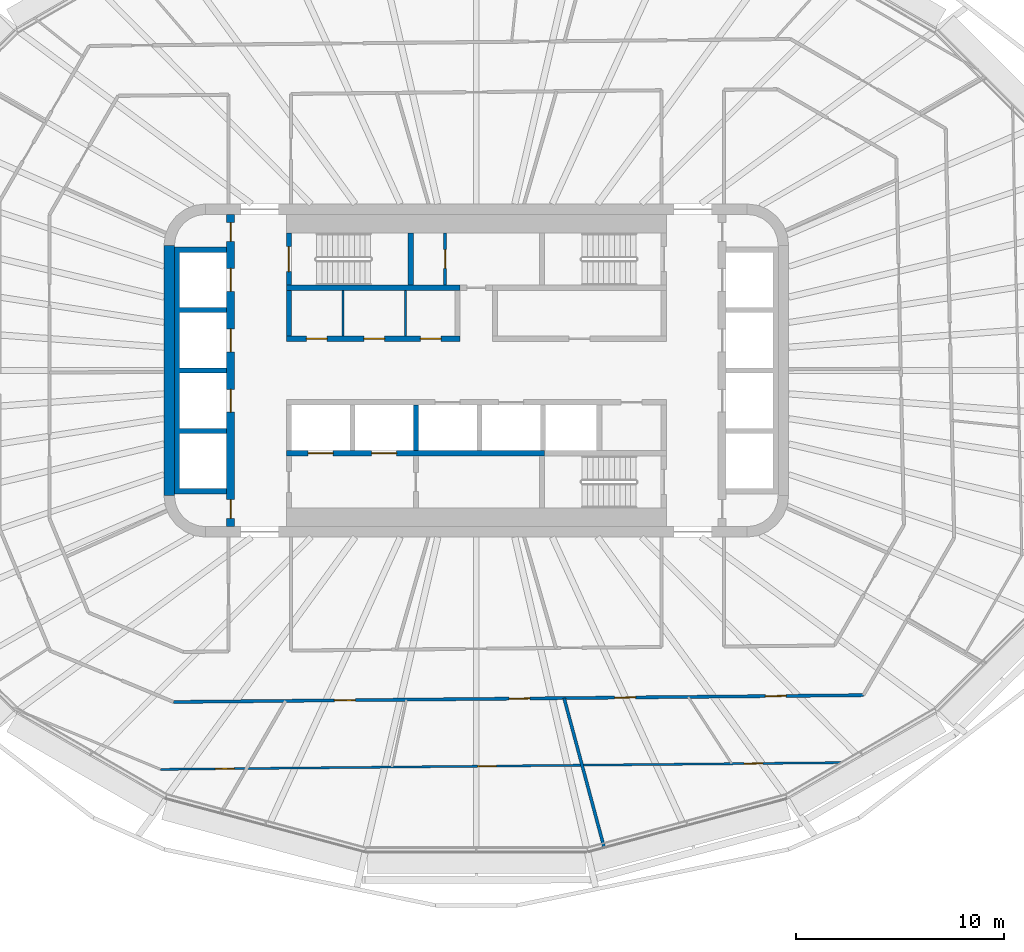
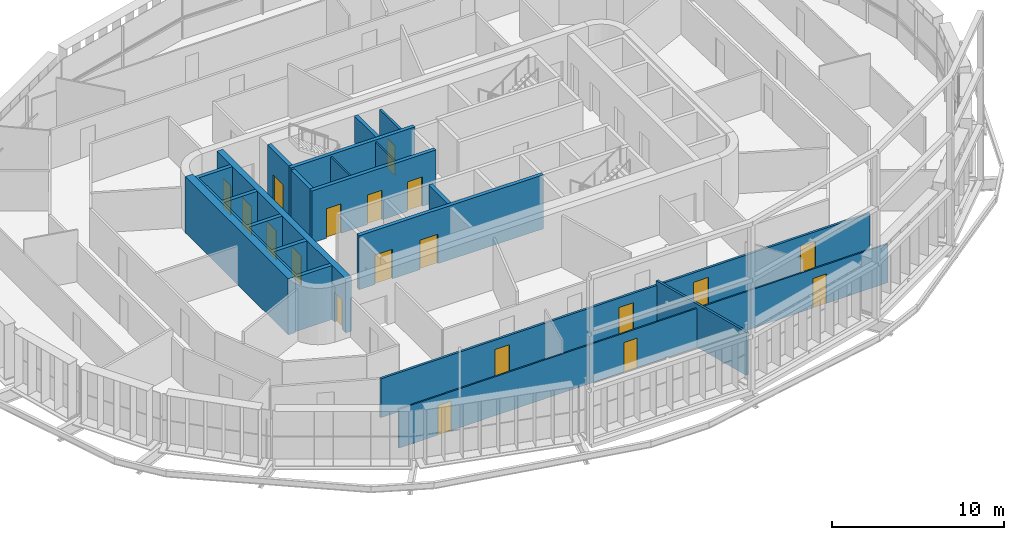
# One storey, part 12 of 23: 19 doors, 16 walls, 19 openings.
"""IFC4 building model written with IfcOpenShell, lengths in metres."""

import ifcopenshell
import ifcopenshell.guid

model = None  # the IFC model being written
_history = None  # IfcOwnerHistory: only IFC2X3 demands one
_inside = {}  # id of a spatial element -> (the spatial element, [elements in it])
_under = {}  # id of a project, library or spatial element -> (it, [spatial elements below it])
_declared = {}  # id of a project -> (the project, [libraries it declares])
_typed = {}  # id of a type object -> (the type object, [elements of that type])
_made_of = {}  # id of a material, layer set ... -> (it, [elements and type objects made of it])


def new_model(schema):
    """Start an empty IFC model of exactly this schema.

    Asked for "IFC4X3", IfcOpenShell would pick the latest addendum, in which some entities
    have other attributes; the version numbers below select the first issue.
    IFC2X3 requires an IfcOwnerHistory on every rooted entity: one is made here for all.
    """
    global model, _history
    if schema == "IFC4X3":
        model = ifcopenshell.file(schema_version=(4, 3, 0, 0))
    else:
        model = ifcopenshell.file(schema=schema)
    _inside.clear()
    _under.clear()
    _declared.clear()
    _typed.clear()
    _made_of.clear()
    _history = None
    if model.schema == "IFC2X3":
        org = make("IfcOrganization", Name="unknown")
        user = make(
            "IfcPersonAndOrganization",
            ThePerson=make("IfcPerson", FamilyName="unknown"),
            TheOrganization=org,
        )
        app = make(
            "IfcApplication",
            ApplicationDeveloper=org,
            Version="unknown",
            ApplicationFullName="unknown",
            ApplicationIdentifier="unknown",
        )
        _history = make(
            "IfcOwnerHistory",
            OwningUser=user,
            OwningApplication=app,
            ChangeAction="ADDED",
            CreationDate=0,
        )
    return model


def make(cls, **values):
    """One entity of the class cls with the attributes given. An attribute that is None is left unset."""
    return model.create_entity(
        cls, **{name: value for name, value in values.items() if value is not None}
    )


def rooted(cls, **values):
    """An entity with a GlobalId (a new one), such as an element, a storey or a relation."""
    return make(cls, GlobalId=ifcopenshell.guid.new(), OwnerHistory=_history, **values)


def si_unit(unit_type, name, prefix=None):
    """IfcSIUnit, for example si_unit("LENGTHUNIT", "METRE", prefix="MILLI")."""
    return make("IfcSIUnit", UnitType=unit_type, Prefix=prefix, Name=name)


def assignment(units):
    """IfcUnitAssignment: the units of a project."""
    return None if units is None else make("IfcUnitAssignment", Units=units)


def point(xyz):
    """IfcCartesianPoint."""
    return None if xyz is None else make("IfcCartesianPoint", Coordinates=xyz)


def direction(xyz):
    """IfcDirection."""
    return None if xyz is None else make("IfcDirection", DirectionRatios=xyz)


def frame(location, z_axis=None, x_axis=None):
    """IfcAxis2Placement3D, a coordinate frame: its origin and axes. An axis left out is left unset."""
    return make(
        "IfcAxis2Placement3D",
        Location=point(location),
        Axis=direction(z_axis),
        RefDirection=direction(x_axis),
    )


def frame_2d(location, x_axis=None):
    """IfcAxis2Placement2D, a coordinate frame in the plane: its origin and x axis."""
    return make(
        "IfcAxis2Placement2D", Location=point(location), RefDirection=direction(x_axis)
    )


def origin():
    """The frame at (0, 0, 0) with its axes left unset."""
    return frame((0.0, 0.0, 0.0))


def place(relative_to, where):
    """IfcLocalPlacement: puts the frame where relative to a parent placement (None: the world)."""
    return make(
        "IfcLocalPlacement", PlacementRelTo=relative_to, RelativePlacement=where
    )


def context(
    kind, dimensions, precision=None, world=None, true_north=None, identifier=None
):
    """IfcGeometricRepresentationContext, for example the 3D "Model" context."""
    return make(
        "IfcGeometricRepresentationContext",
        ContextIdentifier=identifier,
        ContextType=kind,
        CoordinateSpaceDimension=dimensions,
        Precision=precision,
        WorldCoordinateSystem=world,
        TrueNorth=true_north,
    )


def subcontext(parent, identifier, kind, view, scale=None):
    """IfcGeometricRepresentationSubContext, for example "Body" below "Model"."""
    return make(
        "IfcGeometricRepresentationSubContext",
        ContextIdentifier=identifier,
        ContextType=kind,
        ParentContext=parent,
        TargetScale=scale,
        TargetView=view,
    )


def project(units=None, contexts=None):
    """IfcProject with its units and contexts."""
    return rooted(
        "IfcProject",
        Name="project",
        RepresentationContexts=contexts,
        UnitsInContext=assignment(units),
    )


def spatial(cls, under=None, at=None, **own):
    """A site, building, storey or space (cls), placed at a placement, below another one or the project."""
    s = rooted(cls, ObjectPlacement=at, **own)
    if under is not None:
        _under.setdefault(under.id(), (under, []))[1].append(s)
    return s


def polyline(points):
    """IfcPolyline through the points."""
    return make("IfcPolyline", Points=[point(p) for p in points])


def profile(cls, at=None, kind="AREA", **sizes):
    """A parametric profile (cls). Its sizes go by their IFC names, for example OverallWidth=200.0."""
    return make(cls, ProfileType=kind, Position=at, **sizes)


def rectangle(**sizes):
    """IfcRectangleProfileDef."""
    return profile("IfcRectangleProfileDef", **sizes)


def outline(outer, holes=None, kind="AREA"):
    """IfcArbitraryClosedProfileDef: a profile drawn as a closed curve; with holes, ...WithVoids."""
    if holes is None:
        return make("IfcArbitraryClosedProfileDef", ProfileType=kind, OuterCurve=outer)
    return make(
        "IfcArbitraryProfileDefWithVoids",
        ProfileType=kind,
        OuterCurve=outer,
        InnerCurves=holes,
    )


def extrude(swept, where, along, depth):
    """IfcExtrudedAreaSolid: the profile swept, set in the frame where, extruded along a direction by depth."""
    return make(
        "IfcExtrudedAreaSolid",
        SweptArea=swept,
        Position=where,
        ExtrudedDirection=direction(along),
        Depth=depth,
    )


def shape(context_of_items, identifier, shape_type, items):
    """IfcShapeRepresentation: the items that make up one representation, for example the "Body"."""
    return make(
        "IfcShapeRepresentation",
        ContextOfItems=context_of_items,
        RepresentationIdentifier=identifier,
        RepresentationType=shape_type,
        Items=items,
    )


def material(Name=None, Category=None):
    """IfcMaterial."""
    return make("IfcMaterial", Name=Name, Category=Category)


def layer(
    of_material, thickness, ventilated=None, Name=None, Category=None, Priority=None
):
    """IfcMaterialLayer: one layer of a wall or slab, of a material (None: an air gap)."""
    return make(
        "IfcMaterialLayer",
        Material=of_material,
        LayerThickness=thickness,
        IsVentilated=ventilated,
        Name=Name,
        Category=Category,
        Priority=Priority,
    )


def layer_set(layers, Name=None):
    """IfcMaterialLayerSet."""
    return make("IfcMaterialLayerSet", MaterialLayers=layers, LayerSetName=Name)


def made_of(thing, what):
    """Note that an element or type object is made of a material, layer set ...; save() writes the relation."""
    if what is not None:
        _made_of.setdefault(what.id(), (what, []))[1].append(thing)
    return thing


def type_object(cls, material=None, **own):
    """A type object (cls), such as IfcWallType, which elements share."""
    return made_of(rooted(cls, **own), material)


def element(
    cls,
    number,
    at=None,
    inside=None,
    cuts=None,
    type_object=None,
    material=None,
    context=None,
    identifier="Body",
    shape_type=None,
    held_by="IfcProductDefinitionShape",
    body=None,
    shapes=None,
    **own,
):
    """One element of the class cls, such as IfcWall. Its Tag is "e" and its number.

    at: its placement. inside: the storey or other place that contains it. cuts: it is an
    opening in that element (IfcRelVoidsElement). A single representation is given by context,
    identifier, shape_type and body (its items); several are given by shapes. held_by: the class
    of the entity that holds the representations. save() writes the other relations.
    """
    e = rooted(cls, Tag="e%d" % number, ObjectPlacement=at, **own)
    if body is not None:
        shapes = [shape(context, identifier, shape_type, body)]
    if shapes is not None:
        e.Representation = make(held_by, Representations=shapes)
    if inside is not None:
        _inside.setdefault(inside.id(), (inside, []))[1].append(e)
    if cuts is not None:
        rooted(
            "IfcRelVoidsElement", RelatingBuildingElement=cuts, RelatedOpeningElement=e
        )
    if type_object is not None:
        _typed.setdefault(type_object.id(), (type_object, []))[1].append(e)
    return made_of(e, material)


def fill(opening, filler):
    """IfcRelFillsElement: the door or window that sits in an opening."""
    return rooted(
        "IfcRelFillsElement",
        RelatingOpeningElement=opening,
        RelatedBuildingElement=filler,
    )


def aggregate(whole, parts):
    """IfcRelAggregates: a whole, such as a stair, and the parts it consists of."""
    return rooted("IfcRelAggregates", RelatingObject=whole, RelatedObjects=parts)


def save(model, path):
    """Write the relations noted so far, then the file.

    IfcRelAggregates (storeys below a building ...), IfcRelContainedInSpatialStructure (elements
    in a storey), IfcRelDefinesByType, IfcRelAssociatesMaterial and IfcRelDeclares: one each for
    every whole, place, type object, material and project.
    """
    for whole, parts in _under.values():
        aggregate(whole, parts)
    for where, things in _inside.values():
        rooted(
            "IfcRelContainedInSpatialStructure",
            RelatedElements=things,
            RelatingStructure=where,
        )
    for kind, things in _typed.values():
        rooted("IfcRelDefinesByType", RelatedObjects=things, RelatingType=kind)
    for what, things in _made_of.values():
        rooted("IfcRelAssociatesMaterial", RelatedObjects=things, RelatingMaterial=what)
    for by, libraries in _declared.values():
        rooted("IfcRelDeclares", RelatingContext=by, RelatedDefinitions=libraries)
    model.write(path)


model = new_model("IFC4")

# Units and contexts
model_context = context("Model", 3, precision=1e-05, world=origin(), true_north=direction((0.0, 1.0)))
body_context = subcontext(model_context, "Body", "Model", "MODEL_VIEW")
ifc_project = project(units=[si_unit("LENGTHUNIT", "METRE"), si_unit("AREAUNIT", "SQUARE_METRE"), si_unit("VOLUMEUNIT", "CUBIC_METRE"), si_unit("PLANEANGLEUNIT", "RADIAN"), si_unit("MASSUNIT", "GRAM", prefix="KILO")], contexts=[model_context])

# Site, building, storey
site_placement = place(None, origin())
site = spatial("IfcSite", under=ifc_project, at=site_placement, CompositionType="ELEMENT")
building_placement = place(site_placement, origin())
building = spatial("IfcBuilding", under=site, at=building_placement, Name="Sahrelin Media Tower", CompositionType="ELEMENT")
storey_placement = place(building_placement, frame((0.0, 0.0, 185.60009765625)))
storey = spatial("IfcBuildingStorey", under=building, at=storey_placement, Name="L39", CompositionType="ELEMENT", Elevation=185.60009765625)

# Wall
ifc_material_1 = material(Name="Concrete C60/75", Category="concrete")
ifc_layer_1 = layer(ifc_material_1, 0.5)
ifc_layer_set_1 = layer_set([ifc_layer_1], Name="Core wall 500")
wall_type_1 = type_object("IfcWallType", Name="Core wall 500", PredefinedType="SHEAR", material=ifc_layer_set_1)
wall_1_placement = place(storey_placement, frame((-14.75, -6.0, 0.0), z_axis=(0.0, 0.0, 1.0), x_axis=(0.0, 1.0, 0.0)))
element("IfcWall", 1, at=wall_1_placement, inside=storey, type_object=wall_type_1, Name="Core wall W L39", PredefinedType="SHEAR", context=body_context, shape_type="SweptSolid", body=[
    extrude(rectangle(XDim=12.0, YDim=0.5, at=frame_2d((6.0, 0.0))), origin(), (0.0, 0.0, 1.0), 4.0),
])

# Wall, openings, doors
ifc_material_2 = material(Name="Fire-rated gypsum board partition")
ifc_layer_2 = layer(ifc_material_2, 0.25)
ifc_layer_set_2 = layer_set([ifc_layer_2], Name="Fire-rated lobby wall 250")
wall_type_2 = type_object("IfcWallType", Name="Fire-rated lobby wall 250", PredefinedType="PARTITIONING", material=ifc_layer_set_2)
wall_2_placement = place(storey_placement, frame((-9.125, 1.52490234375, 0.0), z_axis=(0.0, 0.0, 1.0), x_axis=(1.0, 0.0, 0.0)))
wall_2 = element("IfcWall", 2, at=wall_2_placement, inside=storey, type_object=wall_type_2, Name="Core lobby wall", PredefinedType="PARTITIONING", context=body_context, shape_type="SweptSolid", body=[
    extrude(rectangle(XDim=8.35009765625, YDim=0.25, at=frame_2d((4.175048828125, 0.0))), origin(), (0.0, 0.0, 1.0), 3.699951171875),
])
opening_1_placement = place(wall_2_placement, frame((0.96240234375, 0.0, 0.0)))
opening_1 = element("IfcOpeningElement", 3, at=opening_1_placement, cuts=wall_2, Name="Opening L39-D08", PredefinedType="OPENING", context=body_context, shape_type="SweptSolid", body=[
    extrude(rectangle(XDim=1.0, YDim=2.10009765625, at=frame_2d((0.5, 1.050048828125))), frame((0.0, 0.125, 0.0), z_axis=(0.0, -1.0, 0.0), x_axis=(1.0, 0.0, 0.0)), (0.0, 0.0, 1.0), 0.25),
])
opening_2_placement = place(wall_2_placement, frame((3.72509765625, 0.0, 0.0)))
opening_2 = element("IfcOpeningElement", 4, at=opening_2_placement, cuts=wall_2, Name="Opening L39-D09", PredefinedType="OPENING", context=body_context, shape_type="SweptSolid", body=[
    extrude(rectangle(XDim=1.0, YDim=2.10009765625, at=frame_2d((0.5, 1.050048828125))), frame((0.0, 0.125, 0.0), z_axis=(0.0, -1.0, 0.0), x_axis=(1.0, 0.0, 0.0)), (0.0, 0.0, 1.0), 0.25),
])
opening_3_placement = place(wall_2_placement, frame((6.4375, 0.0, 0.0)))
opening_3 = element("IfcOpeningElement", 5, at=opening_3_placement, cuts=wall_2, Name="Opening L39-D10", PredefinedType="OPENING", context=body_context, shape_type="SweptSolid", body=[
    extrude(rectangle(XDim=1.0, YDim=2.10009765625, at=frame_2d((0.5, 1.050048828125))), frame((0.0, 0.125, 0.0), z_axis=(0.0, -1.0, 0.0), x_axis=(1.0, 0.0, 0.0)), (0.0, 0.0, 1.0), 0.25),
])
ifc_material_3 = material(Name="Steel fire door leaf", Category="steel")
door_type_1 = type_object("IfcDoorType", Name="Fire door 1000 x 2100 EI 60", OperationType="NOTDEFINED", PredefinedType="DOOR", material=ifc_material_3)
door_1_placement = place(opening_1_placement, origin())
door_1 = element("IfcDoor", 6, at=door_1_placement, inside=storey, type_object=door_type_1, Name="Core room door", OperationType="SINGLE_SWING_LEFT", OverallHeight=2.10009765625, OverallWidth=1.0, PredefinedType="DOOR", context=body_context, shape_type="SweptSolid", body=[
    extrude(rectangle(XDim=1.0, YDim=2.10009765625, at=frame_2d((0.5, 1.050048828125))), frame((0.0, 0.02490234375, 0.0), z_axis=(0.0, -1.0, 0.0), x_axis=(1.0, 0.0, 0.0)), (0.0, 0.0, 1.0), 0.050048828125),
])
fill(opening_1, door_1)
door_2_placement = place(opening_2_placement, origin())
door_2 = element("IfcDoor", 7, at=door_2_placement, inside=storey, type_object=door_type_1, Name="Core room door", OperationType="SINGLE_SWING_LEFT", OverallHeight=2.10009765625, OverallWidth=1.0, PredefinedType="DOOR", context=body_context, shape_type="SweptSolid", body=[
    extrude(rectangle(XDim=1.0, YDim=2.10009765625, at=frame_2d((0.5, 1.050048828125))), frame((0.0, 0.02490234375, 0.0), z_axis=(0.0, -1.0, 0.0), x_axis=(1.0, 0.0, 0.0)), (0.0, 0.0, 1.0), 0.050048828125),
])
fill(opening_2, door_2)
door_3_placement = place(opening_3_placement, origin())
door_3 = element("IfcDoor", 8, at=door_3_placement, inside=storey, type_object=door_type_1, Name="Core room door", OperationType="SINGLE_SWING_LEFT", OverallHeight=2.10009765625, OverallWidth=1.0, PredefinedType="DOOR", context=body_context, shape_type="SweptSolid", body=[
    extrude(rectangle(XDim=1.0, YDim=2.10009765625, at=frame_2d((0.5, 1.050048828125))), frame((0.0, 0.02490234375, 0.0), z_axis=(0.0, -1.0, 0.0), x_axis=(1.0, 0.0, 0.0)), (0.0, 0.0, 1.0), 0.050048828125),
])
fill(opening_3, door_3)

# Walls
wall_3_placement = place(storey_placement, frame((-9.0, 1.64990234375, 0.0), z_axis=(0.0, 0.0, 1.0), x_axis=(0.0, 1.0, 0.0)))
element("IfcWall", 9, at=wall_3_placement, inside=storey, type_object=wall_type_2, Name="Core lobby wall", PredefinedType="PARTITIONING", context=body_context, shape_type="SweptSolid", body=[
    extrude(rectangle(XDim=2.2001953125, YDim=0.25, at=frame_2d((1.10009765625, 0.0))), origin(), (0.0, 0.0, 1.0), 3.699951171875),
])
ifc_layer_3 = layer(ifc_material_2, 0.10009765625)
ifc_layer_set_3 = layer_set([ifc_layer_3], Name="Fire-rated partition 100")
wall_type_3 = type_object("IfcWallType", Name="Fire-rated partition 100", PredefinedType="PARTITIONING", material=ifc_layer_set_3)
for number, where, z_axis, x_axis, name in (
    (10, (-6.39990234375, 1.64990234375, 0.0), (0.0, 0.0, 1.0), (0.0, 1.0, 0.0), "Core room partition"),
    (11, (-3.39990234375, 1.64990234375, 0.0), (0.0, 0.0, 1.0), (0.0, 1.0, 0.0), "Core room partition"),
):
    element("IfcWall", number, at=place(storey_placement, frame(where, z_axis=z_axis, x_axis=x_axis)), inside=storey, type_object=wall_type_3, Name=name, PredefinedType="PARTITIONING", context=body_context, shape_type="SweptSolid", body=[
        extrude(rectangle(XDim=2.2001953125, YDim=0.10009765625, at=frame_2d((1.10009765625, 0.0))), origin(), (0.0, 0.0, 1.0), 3.699951171875),
    ])

# Wall, opening, door
ifc_layer_4 = layer(ifc_material_2, 0.14990234375)
ifc_layer_set_4 = layer_set([ifc_layer_4], Name="Fire-rated partition 150")
wall_type_4 = type_object("IfcWallType", Name="Fire-rated partition 150", PredefinedType="PARTITIONING", material=ifc_layer_set_4)
wall_4_placement = place(storey_placement, frame((-1.5, 4.10009765625, 0.0), z_axis=(0.0, 0.0, 1.0), x_axis=(0.0, 1.0, 0.0)))
wall_4 = element("IfcWall", 12, at=wall_4_placement, inside=storey, type_object=wall_type_4, Name="Core room fire partition", PredefinedType="PARTITIONING", context=body_context, shape_type="SweptSolid", body=[
    extrude(rectangle(XDim=2.5, YDim=0.14990234375, at=frame_2d((1.25, 0.0))), origin(), (0.0, 0.0, 1.0), 3.699951171875),
])
opening_4_placement = place(wall_4_placement, frame((0.800048828125, 0.0, 0.0)))
opening_4 = element("IfcOpeningElement", 13, at=opening_4_placement, cuts=wall_4, Name="Opening L39-D07", PredefinedType="OPENING", context=body_context, shape_type="SweptSolid", body=[
    extrude(rectangle(XDim=0.89990234375, YDim=2.10009765625, at=frame_2d((0.449951171875, 1.050048828125))), frame((0.0, 0.074951171875, 0.0), z_axis=(0.0, -1.0, 0.0), x_axis=(1.0, 0.0, 0.0)), (0.0, 0.0, 1.0), 0.14990234375),
])
door_type_2 = type_object("IfcDoorType", Name="Fire door 900 x 2100 EI 60", OperationType="NOTDEFINED", PredefinedType="DOOR", material=ifc_material_3)
door_4_placement = place(opening_4_placement, origin())
door_4 = element("IfcDoor", 14, at=door_4_placement, inside=storey, type_object=door_type_2, Name="Core room door", OperationType="SINGLE_SWING_LEFT", OverallHeight=2.10009765625, OverallWidth=0.89990234375, PredefinedType="DOOR", context=body_context, shape_type="SweptSolid", body=[
    extrude(rectangle(XDim=0.89990234375, YDim=2.10009765625, at=frame_2d((0.449951171875, 1.050048828125))), frame((0.0, 0.02490234375, 0.0), z_axis=(0.0, -1.0, 0.0), x_axis=(1.0, 0.0, 0.0)), (0.0, 0.0, 1.0), 0.050048828125),
])
fill(opening_4, door_4)

# Wall
wall_5_placement = place(storey_placement, frame((4.215087890625, -15.72998046875, 0.0), z_axis=(0.0, 0.0, 1.0), x_axis=(0.258765615768, -0.965940141052, 0.0)))
element("IfcWall", 15, at=wall_5_placement, inside=storey, type_object=wall_type_4, Name="Wall", PredefinedType="PARTITIONING", context=body_context, shape_type="SweptSolid", body=[
    extrude(rectangle(XDim=7.4384765625, YDim=0.14990234375, at=frame_2d((3.71923828125, 0.0))), origin(), (0.0, 0.0, 1.0), 3.077392578125),
])

# Wall, openings, doors
wall_6_placement = place(storey_placement, frame((-14.533935546875, -15.91552734375, 0.0), z_axis=(0.0, 0.0, 1.0), x_axis=(0.999951221888, 0.009876935033, 0.0)))
wall_6 = element("IfcWall", 16, at=wall_6_placement, inside=storey, type_object=wall_type_4, Name="Wall", PredefinedType="PARTITIONING", context=body_context, shape_type="SweptSolid", body=[
    extrude(rectangle(XDim=33.12255859375, YDim=0.14990234375, at=frame_2d((16.561279296875, 0.0))), origin(), (0.0, 0.0, 1.0), 2.76806640625),
])
opening_5_placement = place(wall_6_placement, frame((7.722412109375, 0.0, 0.0)))
opening_5 = element("IfcOpeningElement", 17, at=opening_5_placement, cuts=wall_6, Name="Opening L39-D52", PredefinedType="OPENING", context=body_context, shape_type="SweptSolid", body=[
    extrude(rectangle(XDim=1.0, YDim=2.10009765625, at=frame_2d((0.5, 1.050048828125))), frame((0.0, 0.074951171875, 0.0), z_axis=(0.0, -1.0, 0.0), x_axis=(1.0, 0.0, 0.0)), (0.0, 0.0, 1.0), 0.14990234375),
])
opening_6_placement = place(wall_6_placement, frame((16.110595703125, 0.0, 0.0)))
opening_6 = element("IfcOpeningElement", 18, at=opening_6_placement, cuts=wall_6, Name="Opening L39-D53", PredefinedType="OPENING", context=body_context, shape_type="SweptSolid", body=[
    extrude(rectangle(XDim=1.0, YDim=2.10009765625, at=frame_2d((0.5, 1.050048828125))), frame((0.0, 0.074951171875, 0.0), z_axis=(0.0, -1.0, 0.0), x_axis=(1.0, 0.0, 0.0)), (0.0, 0.0, 1.0), 0.14990234375),
])
opening_7_placement = place(wall_6_placement, frame((21.1796875, 0.0, 0.0)))
opening_7 = element("IfcOpeningElement", 19, at=opening_7_placement, cuts=wall_6, Name="Opening L39-D55", PredefinedType="OPENING", context=body_context, shape_type="SweptSolid", body=[
    extrude(rectangle(XDim=1.0, YDim=2.10009765625, at=frame_2d((0.5, 1.050048828125))), frame((0.0, 0.074951171875, 0.0), z_axis=(0.0, -1.0, 0.0), x_axis=(1.0, 0.0, 0.0)), (0.0, 0.0, 1.0), 0.14990234375),
])
opening_8_placement = place(wall_6_placement, frame((28.41552734375, 0.0, 0.0)))
opening_8 = element("IfcOpeningElement", 20, at=opening_8_placement, cuts=wall_6, Name="Opening L39-D56", PredefinedType="OPENING", context=body_context, shape_type="SweptSolid", body=[
    extrude(rectangle(XDim=1.0, YDim=2.10009765625, at=frame_2d((0.5, 1.050048828125))), frame((0.0, 0.074951171875, 0.0), z_axis=(0.0, -1.0, 0.0), x_axis=(1.0, 0.0, 0.0)), (0.0, 0.0, 1.0), 0.14990234375),
])
door_5_placement = place(opening_5_placement, origin())
door_5 = element("IfcDoor", 21, at=door_5_placement, inside=storey, type_object=door_type_1, Name="Fire door", OperationType="SINGLE_SWING_LEFT", OverallHeight=2.10009765625, OverallWidth=1.0, PredefinedType="DOOR", context=body_context, shape_type="SweptSolid", body=[
    extrude(rectangle(XDim=1.0, YDim=2.10009765625, at=frame_2d((0.5, 1.050048828125))), frame((0.0, 0.02490234375, 0.0), z_axis=(0.0, -1.0, 0.0), x_axis=(1.0, 0.0, 0.0)), (0.0, 0.0, 1.0), 0.050048828125),
])
fill(opening_5, door_5)
door_6_placement = place(opening_6_placement, origin())
door_6 = element("IfcDoor", 22, at=door_6_placement, inside=storey, type_object=door_type_1, Name="Fire door", OperationType="SINGLE_SWING_RIGHT", OverallHeight=2.10009765625, OverallWidth=1.0, PredefinedType="DOOR", context=body_context, shape_type="SweptSolid", body=[
    extrude(rectangle(XDim=1.0, YDim=2.10009765625, at=frame_2d((0.5, 1.050048828125))), frame((0.0, 0.02490234375, 0.0), z_axis=(0.0, -1.0, 0.0), x_axis=(1.0, 0.0, 0.0)), (0.0, 0.0, 1.0), 0.050048828125),
])
fill(opening_6, door_6)
door_7_placement = place(opening_7_placement, origin())
door_7 = element("IfcDoor", 23, at=door_7_placement, inside=storey, type_object=door_type_1, Name="Fire door", OperationType="SINGLE_SWING_LEFT", OverallHeight=2.10009765625, OverallWidth=1.0, PredefinedType="DOOR", context=body_context, shape_type="SweptSolid", body=[
    extrude(rectangle(XDim=1.0, YDim=2.10009765625, at=frame_2d((0.5, 1.050048828125))), frame((0.0, 0.02490234375, 0.0), z_axis=(0.0, -1.0, 0.0), x_axis=(1.0, 0.0, 0.0)), (0.0, 0.0, 1.0), 0.050048828125),
])
fill(opening_7, door_7)
door_8_placement = place(opening_8_placement, origin())
door_8 = element("IfcDoor", 24, at=door_8_placement, inside=storey, type_object=door_type_1, Name="Fire door", OperationType="SINGLE_SWING_LEFT", OverallHeight=2.10009765625, OverallWidth=1.0, PredefinedType="DOOR", context=body_context, shape_type="SweptSolid", body=[
    extrude(rectangle(XDim=1.0, YDim=2.10009765625, at=frame_2d((0.5, 1.050048828125))), frame((0.0, 0.02490234375, 0.0), z_axis=(0.0, -1.0, 0.0), x_axis=(1.0, 0.0, 0.0)), (0.0, 0.0, 1.0), 0.050048828125),
])
fill(opening_8, door_8)

ifc_layer_5 = layer(ifc_material_1, 0.25)
ifc_layer_set_5 = layer_set([ifc_layer_5], Name="Lift shaft wall 250")
wall_type_5 = type_object("IfcWallType", Name="Lift shaft wall 250", PredefinedType="SOLIDWALL", material=ifc_layer_set_5)
wall_7_placement = place(storey_placement, frame((-9.125, -3.97509765625, 0.0), z_axis=(0.0, 0.0, 1.0), x_axis=(1.0, 0.0, 0.0)))
wall_7 = element("IfcWall", 25, at=wall_7_placement, inside=storey, type_object=wall_type_5, Name="Lift shaft wall", PredefinedType="SOLIDWALL", context=body_context, shape_type="SweptSolid", body=[
    extrude(rectangle(XDim=12.39990234375, YDim=0.25, at=frame_2d((6.199951171875, 0.0))), origin(), (0.0, 0.0, 1.0), 3.849853515625),
])
opening_9_placement = place(wall_7_placement, frame((1.050048828125, 0.0, 0.0)))
opening_9 = element("IfcOpeningElement", 26, at=opening_9_placement, cuts=wall_7, Name="Opening L39-LD-FF1", PredefinedType="OPENING", context=body_context, shape_type="SweptSolid", body=[
    extrude(rectangle(XDim=1.199951171875, YDim=2.10009765625, at=frame_2d((0.60009765625, 1.050048828125))), frame((0.0, 0.125, 0.0), z_axis=(0.0, -1.0, 0.0), x_axis=(1.0, 0.0, 0.0)), (0.0, 0.0, 1.0), 0.25),
])
opening_10_placement = place(wall_7_placement, frame((4.10009765625, 0.0, 0.0)))
opening_10 = element("IfcOpeningElement", 27, at=opening_10_placement, cuts=wall_7, Name="Opening L39-LD-FF2", PredefinedType="OPENING", context=body_context, shape_type="SweptSolid", body=[
    extrude(rectangle(XDim=1.199951171875, YDim=2.10009765625, at=frame_2d((0.60009765625, 1.050048828125))), frame((0.0, 0.125, 0.0), z_axis=(0.0, -1.0, 0.0), x_axis=(1.0, 0.0, 0.0)), (0.0, 0.0, 1.0), 0.25),
])
ifc_material_4 = material(Name="Stainless steel", Category="steel")
door_type_3 = type_object("IfcDoorType", Name="Lift landing door 1200 x 2100 EI 120", OperationType="DOUBLE_DOOR_SLIDING", PredefinedType="DOOR", material=ifc_material_4)
door_9_placement = place(opening_9_placement, origin())
door_9 = element("IfcDoor", 28, at=door_9_placement, inside=storey, type_object=door_type_3, Name="Lift landing door FF1", OperationType="DOUBLE_DOOR_SLIDING", OverallHeight=2.10009765625, OverallWidth=1.199951171875, PredefinedType="DOOR", context=body_context, shape_type="SweptSolid", body=[
    extrude(rectangle(XDim=1.199951171875, YDim=2.10009765625, at=frame_2d((0.60009765625, 1.050048828125))), frame((0.0, 0.02490234375, 0.0), z_axis=(0.0, -1.0, 0.0), x_axis=(1.0, 0.0, 0.0)), (0.0, 0.0, 1.0), 0.050048828125),
])
fill(opening_9, door_9)
door_10_placement = place(opening_10_placement, origin())
door_10 = element("IfcDoor", 29, at=door_10_placement, inside=storey, type_object=door_type_3, Name="Lift landing door FF2", OperationType="DOUBLE_DOOR_SLIDING", OverallHeight=2.10009765625, OverallWidth=1.199951171875, PredefinedType="DOOR", context=body_context, shape_type="SweptSolid", body=[
    extrude(rectangle(XDim=1.199951171875, YDim=2.10009765625, at=frame_2d((0.60009765625, 1.050048828125))), frame((0.0, 0.02490234375, 0.0), z_axis=(0.0, -1.0, 0.0), x_axis=(1.0, 0.0, 0.0)), (0.0, 0.0, 1.0), 0.050048828125),
])
fill(opening_10, door_10)

# Walls
wall_8_placement = place(storey_placement, frame((-2.89990234375, -3.85009765625, 0.0), z_axis=(0.0, 0.0, 1.0), x_axis=(0.0, 1.0, 0.0)))
element("IfcWall", 30, at=wall_8_placement, inside=storey, type_object=wall_type_5, Name="Lift shaft wall", PredefinedType="SOLIDWALL", context=body_context, shape_type="SweptSolid", body=[
    extrude(rectangle(XDim=2.2001953125, YDim=0.25, at=frame_2d((1.10009765625, 0.0))), origin(), (0.0, 0.0, 1.0), 3.849853515625),
])
wall_9_placement = place(storey_placement, origin())
element("IfcWall", 31, at=wall_9_placement, inside=storey, type_object=wall_type_5, Name="Lift shaft wall", PredefinedType="SOLIDWALL", context=body_context, shape_type="SweptSolid", body=[
    extrude(outline(polyline([(-12.0, -5.925048828125), (-12.0, -5.675048828125), (-14.25, -5.675048828125), (-14.25, -3.02490234375), (-12.0, -3.02490234375), (-12.0, -2.77490234375), (-14.25, -2.77490234375), (-14.25, -0.125), (-12.0, -0.125), (-12.0, 0.125), (-14.25, 0.125), (-14.25, 2.77490234375), (-12.0, 2.77490234375), (-12.0, 3.02490234375), (-14.25, 3.02490234375), (-14.25, 5.675048828125), (-12.0, 5.675048828125), (-12.0, 5.925048828125), (-14.25, 5.925048828125), (-14.5, 5.925048828125), (-14.5, 5.675048828125), (-14.5, 3.02490234375), (-14.5, 2.77490234375), (-14.5, 0.125), (-14.5, -0.125), (-14.5, -2.77490234375), (-14.5, -3.02490234375), (-14.5, -5.675048828125), (-14.5, -5.925048828125), (-14.25, -5.925048828125), (-12.0, -5.925048828125)])), origin(), (0.0, 0.0, 1.0), 3.849853515625),
])

# Wall, openings, doors
ifc_layer_6 = layer(ifc_material_1, 0.39990234375)
ifc_layer_set_6 = layer_set([ifc_layer_6], Name="Lift shaft wall 400")
wall_type_6 = type_object("IfcWallType", Name="Lift shaft wall 400", PredefinedType="SOLIDWALL", material=ifc_layer_set_6)
wall_10_placement = place(storey_placement, frame((-11.800048828125, -7.5, 0.0), z_axis=(0.0, 0.0, 1.0), x_axis=(0.0, 1.0, 0.0)))
wall_10 = element("IfcWall", 32, at=wall_10_placement, inside=storey, type_object=wall_type_6, Name="Lift shaft wall", PredefinedType="SOLIDWALL", context=body_context, shape_type="SweptSolid", body=[
    extrude(rectangle(XDim=15.0, YDim=0.39990234375, at=frame_2d((7.5, 0.0))), origin(), (0.0, 0.0, 1.0), 3.849853515625),
])
opening_11_placement = place(wall_10_placement, frame((11.300048828125, 0.0, 0.0)))
opening_11 = element("IfcOpeningElement", 33, at=opening_11_placement, cuts=wall_10, Name="Opening L39-LD-LR1", PredefinedType="OPENING", context=body_context, shape_type="SweptSolid", body=[
    extrude(rectangle(XDim=1.10009765625, YDim=2.10009765625, at=frame_2d((0.550048828125, 1.050048828125))), frame((0.0, 0.199951171875, 0.0), z_axis=(0.0, -1.0, 0.0), x_axis=(1.0, 0.0, 0.0)), (0.0, 0.0, 1.0), 0.39990234375),
])
opening_12_placement = place(wall_10_placement, frame((8.39990234375, 0.0, 0.0)))
opening_12 = element("IfcOpeningElement", 34, at=opening_12_placement, cuts=wall_10, Name="Opening L39-LD-LR2", PredefinedType="OPENING", context=body_context, shape_type="SweptSolid", body=[
    extrude(rectangle(XDim=1.10009765625, YDim=2.10009765625, at=frame_2d((0.550048828125, 1.050048828125))), frame((0.0, 0.199951171875, 0.0), z_axis=(0.0, -1.0, 0.0), x_axis=(1.0, 0.0, 0.0)), (0.0, 0.0, 1.0), 0.39990234375),
])
opening_13_placement = place(wall_10_placement, frame((5.5, 0.0, 0.0)))
opening_13 = element("IfcOpeningElement", 35, at=opening_13_placement, cuts=wall_10, Name="Opening L39-LD-LR3", PredefinedType="OPENING", context=body_context, shape_type="SweptSolid", body=[
    extrude(rectangle(XDim=1.10009765625, YDim=2.10009765625, at=frame_2d((0.550048828125, 1.050048828125))), frame((0.0, 0.199951171875, 0.0), z_axis=(0.0, -1.0, 0.0), x_axis=(1.0, 0.0, 0.0)), (0.0, 0.0, 1.0), 0.39990234375),
])
opening_14_placement = place(wall_10_placement, frame((13.696533203125, 0.0, 0.0)))
opening_14 = element("IfcOpeningElement", 36, at=opening_14_placement, cuts=wall_10, Name="Opening L39-D13", PredefinedType="OPENING", context=body_context, shape_type="SweptSolid", body=[
    extrude(rectangle(XDim=0.89990234375, YDim=2.10009765625, at=frame_2d((0.449951171875, 1.050048828125))), frame((0.0, 0.199951171875, 0.0), z_axis=(0.0, -1.0, 0.0), x_axis=(1.0, 0.0, 0.0)), (0.0, 0.0, 1.0), 0.39990234375),
])
opening_15_placement = place(wall_10_placement, frame((0.4033203125, 0.0, 0.0)))
opening_15 = element("IfcOpeningElement", 37, at=opening_15_placement, cuts=wall_10, Name="Opening L39-D14", PredefinedType="OPENING", context=body_context, shape_type="SweptSolid", body=[
    extrude(rectangle(XDim=0.89990234375, YDim=2.10009765625, at=frame_2d((0.449951171875, 1.050048828125))), frame((0.0, 0.199951171875, 0.0), z_axis=(0.0, -1.0, 0.0), x_axis=(1.0, 0.0, 0.0)), (0.0, 0.0, 1.0), 0.39990234375),
])
door_type_4 = type_object("IfcDoorType", Name="Lift landing door 1100 x 2100 EI 120", OperationType="DOUBLE_DOOR_SLIDING", PredefinedType="DOOR", material=ifc_material_4)
door_11_placement = place(opening_11_placement, origin())
door_11 = element("IfcDoor", 38, at=door_11_placement, inside=storey, type_object=door_type_4, Name="Lift landing door LR1", OperationType="DOUBLE_DOOR_SLIDING", OverallHeight=2.10009765625, OverallWidth=1.10009765625, PredefinedType="DOOR", context=body_context, shape_type="SweptSolid", body=[
    extrude(rectangle(XDim=1.10009765625, YDim=2.10009765625, at=frame_2d((0.550048828125, 1.050048828125))), frame((0.0, 0.02490234375, 0.0), z_axis=(0.0, -1.0, 0.0), x_axis=(1.0, 0.0, 0.0)), (0.0, 0.0, 1.0), 0.050048828125),
])
fill(opening_11, door_11)
door_12_placement = place(opening_12_placement, origin())
door_12 = element("IfcDoor", 39, at=door_12_placement, inside=storey, type_object=door_type_4, Name="Lift landing door LR2", OperationType="DOUBLE_DOOR_SLIDING", OverallHeight=2.10009765625, OverallWidth=1.10009765625, PredefinedType="DOOR", context=body_context, shape_type="SweptSolid", body=[
    extrude(rectangle(XDim=1.10009765625, YDim=2.10009765625, at=frame_2d((0.550048828125, 1.050048828125))), frame((0.0, 0.02490234375, 0.0), z_axis=(0.0, -1.0, 0.0), x_axis=(1.0, 0.0, 0.0)), (0.0, 0.0, 1.0), 0.050048828125),
])
fill(opening_12, door_12)
door_13_placement = place(opening_13_placement, origin())
door_13 = element("IfcDoor", 40, at=door_13_placement, inside=storey, type_object=door_type_4, Name="Lift landing door LR3", OperationType="DOUBLE_DOOR_SLIDING", OverallHeight=2.10009765625, OverallWidth=1.10009765625, PredefinedType="DOOR", context=body_context, shape_type="SweptSolid", body=[
    extrude(rectangle(XDim=1.10009765625, YDim=2.10009765625, at=frame_2d((0.550048828125, 1.050048828125))), frame((0.0, 0.02490234375, 0.0), z_axis=(0.0, -1.0, 0.0), x_axis=(1.0, 0.0, 0.0)), (0.0, 0.0, 1.0), 0.050048828125),
])
fill(opening_13, door_13)
door_type_5 = type_object("IfcDoorType", Name="Riser door 900 x 2100 EI 120", OperationType="NOTDEFINED", PredefinedType="DOOR", material=ifc_material_3)
door_14_placement = place(opening_14_placement, origin())
door_14 = element("IfcDoor", 41, at=door_14_placement, inside=storey, type_object=door_type_5, Name="Riser door", OperationType="SINGLE_SWING_LEFT", OverallHeight=2.10009765625, OverallWidth=0.89990234375, PredefinedType="DOOR", context=body_context, shape_type="SweptSolid", body=[
    extrude(rectangle(XDim=0.89990234375, YDim=2.10009765625, at=frame_2d((0.449951171875, 1.050048828125))), frame((0.0, 0.02490234375, 0.0), z_axis=(0.0, -1.0, 0.0), x_axis=(1.0, 0.0, 0.0)), (0.0, 0.0, 1.0), 0.050048828125),
])
fill(opening_14, door_14)
door_15_placement = place(opening_15_placement, origin())
door_15 = element("IfcDoor", 42, at=door_15_placement, inside=storey, type_object=door_type_5, Name="Riser door", OperationType="SINGLE_SWING_LEFT", OverallHeight=2.10009765625, OverallWidth=0.89990234375, PredefinedType="DOOR", context=body_context, shape_type="SweptSolid", body=[
    extrude(rectangle(XDim=0.89990234375, YDim=2.10009765625, at=frame_2d((0.449951171875, 1.050048828125))), frame((0.0, 0.02490234375, 0.0), z_axis=(0.0, -1.0, 0.0), x_axis=(1.0, 0.0, 0.0)), (0.0, 0.0, 1.0), 0.050048828125),
])
fill(opening_15, door_15)

ifc_material_5 = material(Name="Gypsum board partition")
ifc_layer_7 = layer(ifc_material_5, 0.10009765625)
ifc_layer_set_7 = layer_set([ifc_layer_7], Name="Partition 100")
wall_type_7 = type_object("IfcWallType", Name="Partition 100", PredefinedType="PARTITIONING", material=ifc_layer_set_7)
wall_11_placement = place(storey_placement, frame((-15.160888671875, -19.152099609375, 0.0), z_axis=(0.0, 0.0, 1.0), x_axis=(0.999950812999, 0.009918244889, 0.0)))
wall_11 = element("IfcWall", 43, at=wall_11_placement, inside=storey, type_object=wall_type_7, Name="Wall", PredefinedType="PARTITIONING", context=body_context, shape_type="SweptSolid", body=[
    extrude(rectangle(XDim=33.107666015625, YDim=0.10009765625, at=frame_2d((16.5537109375, 0.0))), origin(), (0.0, 0.0, 1.0), 2.76806640625),
])
opening_16_placement = place(wall_11_placement, frame((2.627685546875, 0.0, 0.0)))
opening_16 = element("IfcOpeningElement", 44, at=opening_16_placement, cuts=wall_11, Name="Opening L39-D51", PredefinedType="OPENING", context=body_context, shape_type="SweptSolid", body=[
    extrude(rectangle(XDim=0.89990234375, YDim=2.10009765625, at=frame_2d((0.449951171875, 1.050048828125))), frame((0.0, 0.050048828125, 0.0), z_axis=(0.0, -1.0, 0.0), x_axis=(1.0, 0.0, 0.0)), (0.0, 0.0, 1.0), 0.10009765625),
])
opening_17_placement = place(wall_11_placement, frame((15.22607421875, 0.0, 0.0)))
opening_17 = element("IfcOpeningElement", 45, at=opening_17_placement, cuts=wall_11, Name="Opening L39-D54", PredefinedType="OPENING", context=body_context, shape_type="SweptSolid", body=[
    extrude(rectangle(XDim=0.89990234375, YDim=2.10009765625, at=frame_2d((0.449951171875, 1.050048828125))), frame((0.0, 0.050048828125, 0.0), z_axis=(0.0, -1.0, 0.0), x_axis=(1.0, 0.0, 0.0)), (0.0, 0.0, 1.0), 0.10009765625),
])
opening_18_placement = place(wall_11_placement, frame((28.0244140625, 0.0, 0.0)))
opening_18 = element("IfcOpeningElement", 46, at=opening_18_placement, cuts=wall_11, Name="Opening L39-D57", PredefinedType="OPENING", context=body_context, shape_type="SweptSolid", body=[
    extrude(rectangle(XDim=0.89990234375, YDim=2.10009765625, at=frame_2d((0.449951171875, 1.050048828125))), frame((0.0, 0.050048828125, 0.0), z_axis=(0.0, -1.0, 0.0), x_axis=(1.0, 0.0, 0.0)), (0.0, 0.0, 1.0), 0.10009765625),
])
ifc_material_6 = material(Name="Timber door leaf", Category="wood")
door_type_6 = type_object("IfcDoorType", Name="Single door 900 x 2100", OperationType="NOTDEFINED", PredefinedType="DOOR", material=ifc_material_6)
door_16_placement = place(opening_16_placement, origin())
door_16 = element("IfcDoor", 47, at=door_16_placement, inside=storey, type_object=door_type_6, Name="Single door", OperationType="SINGLE_SWING_RIGHT", OverallHeight=2.10009765625, OverallWidth=0.89990234375, PredefinedType="DOOR", context=body_context, shape_type="SweptSolid", body=[
    extrude(rectangle(XDim=0.89990234375, YDim=2.10009765625, at=frame_2d((0.449951171875, 1.050048828125))), frame((0.0, 0.02490234375, 0.0), z_axis=(0.0, -1.0, 0.0), x_axis=(1.0, 0.0, 0.0)), (0.0, 0.0, 1.0), 0.050048828125),
])
fill(opening_16, door_16)
door_17_placement = place(opening_17_placement, origin())
door_17 = element("IfcDoor", 48, at=door_17_placement, inside=storey, type_object=door_type_6, Name="Single door", OperationType="SINGLE_SWING_RIGHT", OverallHeight=2.10009765625, OverallWidth=0.89990234375, PredefinedType="DOOR", context=body_context, shape_type="SweptSolid", body=[
    extrude(rectangle(XDim=0.89990234375, YDim=2.10009765625, at=frame_2d((0.449951171875, 1.050048828125))), frame((0.0, 0.02490234375, 0.0), z_axis=(0.0, -1.0, 0.0), x_axis=(1.0, 0.0, 0.0)), (0.0, 0.0, 1.0), 0.050048828125),
])
fill(opening_17, door_17)
door_18_placement = place(opening_18_placement, origin())
door_18 = element("IfcDoor", 49, at=door_18_placement, inside=storey, type_object=door_type_6, Name="Single door", OperationType="SINGLE_SWING_RIGHT", OverallHeight=2.10009765625, OverallWidth=0.89990234375, PredefinedType="DOOR", context=body_context, shape_type="SweptSolid", body=[
    extrude(rectangle(XDim=0.89990234375, YDim=2.10009765625, at=frame_2d((0.449951171875, 1.050048828125))), frame((0.0, 0.02490234375, 0.0), z_axis=(0.0, -1.0, 0.0), x_axis=(1.0, 0.0, 0.0)), (0.0, 0.0, 1.0), 0.050048828125),
])
fill(opening_18, door_18)

# Wall, opening, door
ifc_layer_8 = layer(ifc_material_1, 0.25)
ifc_layer_set_8 = layer_set([ifc_layer_8], Name="Stair enclosure wall 250")
wall_type_8 = type_object("IfcWallType", Name="Stair enclosure wall 250", PredefinedType="SOLIDWALL", material=ifc_layer_set_8)
wall_12_placement = place(storey_placement, frame((-9.0, 4.10009765625, 0.0), z_axis=(0.0, 0.0, 1.0), x_axis=(0.0, 1.0, 0.0)))
wall_12 = element("IfcWall", 50, at=wall_12_placement, inside=storey, type_object=wall_type_8, Name="Stair enclosure wall", PredefinedType="SOLIDWALL", context=body_context, shape_type="SweptSolid", body=[
    extrude(rectangle(XDim=2.5, YDim=0.25, at=frame_2d((1.25, 0.0))), origin(), (0.0, 0.0, 1.0), 3.849853515625),
])
opening_19_placement = place(wall_12_placement, frame((0.64990234375, 0.0, 0.0)))
opening_19 = element("IfcOpeningElement", 51, at=opening_19_placement, cuts=wall_12, Name="Opening L39-D01", PredefinedType="OPENING", context=body_context, shape_type="SweptSolid", body=[
    extrude(rectangle(XDim=1.199951171875, YDim=2.10009765625, at=frame_2d((0.60009765625, 1.050048828125))), frame((0.0, 0.125, 0.0), z_axis=(0.0, -1.0, 0.0), x_axis=(1.0, 0.0, 0.0)), (0.0, 0.0, 1.0), 0.25),
])
door_type_7 = type_object("IfcDoorType", Name="Stair door 1200 x 2100 EI 120", OperationType="NOTDEFINED", PredefinedType="DOOR", material=ifc_material_3)
door_19_placement = place(opening_19_placement, origin())
door_19 = element("IfcDoor", 52, at=door_19_placement, inside=storey, type_object=door_type_7, Name="Stair door ST1", OperationType="SINGLE_SWING_RIGHT", OverallHeight=2.10009765625, OverallWidth=1.199951171875, PredefinedType="DOOR", context=body_context, shape_type="SweptSolid", body=[
    extrude(rectangle(XDim=1.199951171875, YDim=2.10009765625, at=frame_2d((0.60009765625, 1.050048828125))), frame((0.0, 0.02490234375, 0.0), z_axis=(0.0, -1.0, 0.0), x_axis=(1.0, 0.0, 0.0)), (0.0, 0.0, 1.0), 0.050048828125),
])
fill(opening_19, door_19)

# Walls
wall_13_placement = place(storey_placement, frame((-3.14990234375, 4.10009765625, 0.0), z_axis=(0.0, 0.0, 1.0), x_axis=(0.0, 1.0, 0.0)))
element("IfcWall", 53, at=wall_13_placement, inside=storey, type_object=wall_type_8, Name="Stair enclosure wall", PredefinedType="SOLIDWALL", context=body_context, shape_type="SweptSolid", body=[
    extrude(rectangle(XDim=2.5, YDim=0.25, at=frame_2d((1.25, 0.0))), origin(), (0.0, 0.0, 1.0), 3.849853515625),
])
wall_14_placement = place(storey_placement, frame((-9.125, 3.97509765625, 0.0), z_axis=(0.0, 0.0, 1.0), x_axis=(1.0, 0.0, 0.0)))
element("IfcWall", 54, at=wall_14_placement, inside=storey, type_object=wall_type_8, Name="Stair enclosure wall", PredefinedType="SOLIDWALL", context=body_context, shape_type="SweptSolid", body=[
    extrude(rectangle(XDim=8.35009765625, YDim=0.25, at=frame_2d((4.175048828125, 0.0))), origin(), (0.0, 0.0, 1.0), 3.849853515625),
])

save(model, "model.ifc")
